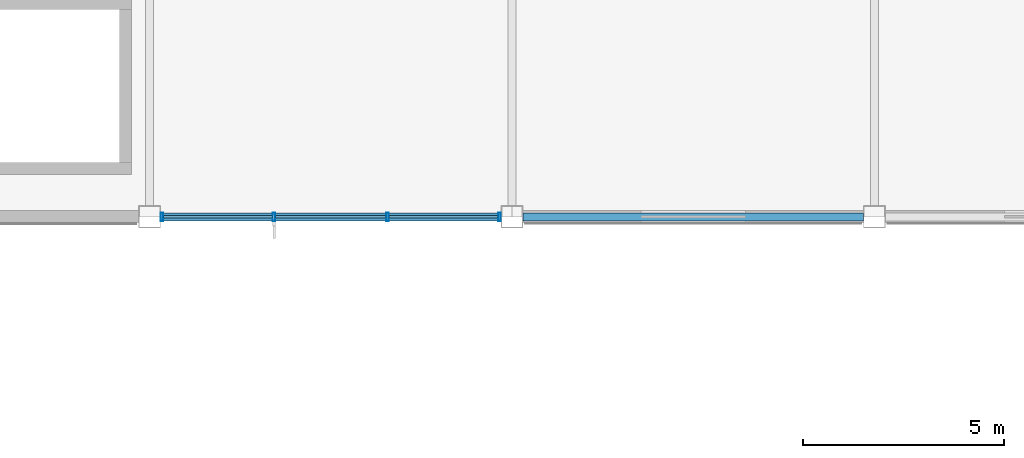
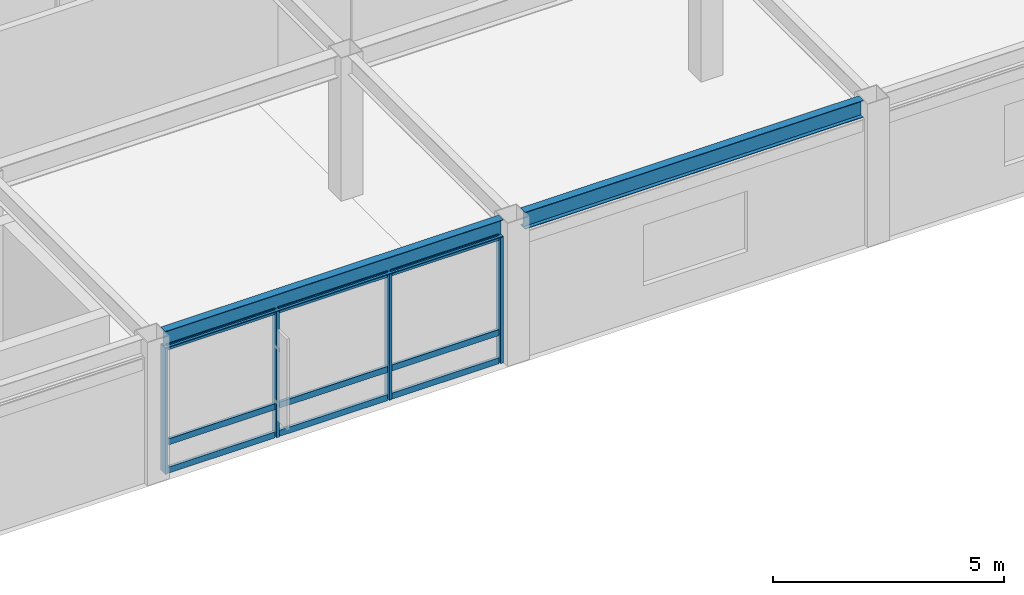
# One storey, part 39 of 113: 13 members, 2 beams, 1 element without a shape of its own.
"""IFC4 building model written with IfcOpenShell, lengths in metres."""

from ifc_helpers import new_model, si_unit, direction, frame, origin, origin_2d, place, context, subcontext, project, spatial, hollow_rectangle, i_section, extrude, material, material_profile, profile_set, type_object, element, aggregate, save


model = new_model("IFC4")

# Units and contexts
model_context = context("Model", 3, precision=1e-05, world=origin(), true_north=direction((0.0, 1.0)))
body_context = subcontext(model_context, "Body", "Model", "MODEL_VIEW")
ifc_project = project(units=[si_unit("LENGTHUNIT", "METRE"), si_unit("AREAUNIT", "SQUARE_METRE"), si_unit("VOLUMEUNIT", "CUBIC_METRE"), si_unit("PLANEANGLEUNIT", "RADIAN"), si_unit("MASSUNIT", "GRAM", prefix="KILO")], contexts=[model_context])

# Site, building, storey
site_placement = place(None, origin())
site = spatial("IfcSite", under=ifc_project, at=site_placement, CompositionType="ELEMENT")
building_placement = place(site_placement, origin())
building = spatial("IfcBuilding", under=site, at=building_placement, Name="Kazanami Central Library", CompositionType="ELEMENT")
storey_placement = place(building_placement, frame((0.0, 0.0, 8.800048828125)))
storey = spatial("IfcBuildingStorey", under=building, at=storey_placement, Name="L03", CompositionType="ELEMENT", Elevation=8.800048828125)

# Beams
ifc_material_1 = material(Name="Steel SN490B (325 MPa)", Category="steel")
ifc_material_profile_1 = material_profile(ifc_material_1, i_section(OverallWidth=0.199951171875, OverallDepth=0.449951171875, WebThickness=0.009033203125, FlangeThickness=0.013916015625, at=origin_2d()), Name="H-450x200x9x14")
ifc_profile_set_1 = profile_set([ifc_material_profile_1], Name="Steel SN490B (325 MPa)")
beam_type = type_object("IfcBeamType", Name="BM-SP-2", PredefinedType="SPANDREL", material=ifc_profile_set_1)
for number, where, z_axis, x_axis, name in (
    (1, (81.27294921875, 21.60009765625, 3.554931640625), (1.0, 0.0, 0.0), (0.0, 1.0, 0.0), "Girder SP-2 L03 D/10-11"),
    (2, (90.27294921875, 21.60009765625, 3.554931640625), (1.0, 0.0, 0.0), (0.0, 1.0, 0.0), "Girder SP-2 L03 D/11-12"),
):
    element("IfcBeam", number, at=place(storey_placement, frame(where, z_axis=z_axis, x_axis=x_axis)), inside=storey, type_object=beam_type, Name=name, PredefinedType="SPANDREL", context=body_context, shape_type="SweptSolid", body=[
        extrude(i_section(OverallWidth=0.199951171875, OverallDepth=0.449951171875, WebThickness=0.009033203125, FlangeThickness=0.013916015625, at=origin_2d()), origin(), (0.0, 0.0, 1.0), 8.4541015625),
    ])

# Curtain wall, members
ifc_material_2 = material(Name="Acid-Etched Low-E Laminated Glass", Category="glass")
curtain_wall_type = type_object("IfcCurtainWallType", Name="CW-8450x3330-M275", PredefinedType="USERDEFINED", material=ifc_material_2)
curtain_wall_placement = place(storey_placement, origin())
curtain_wall = element("IfcCurtainWall", 3, at=curtain_wall_placement, inside=storey, type_object=curtain_wall_type, Name="Unitised Curtain Wall CW-25 L03 S-D-09", ObjectType="UNITISED CURTAIN WALL", PredefinedType="USERDEFINED")
ifc_material_3 = material(Name="Anodised Aluminium A6063-T5", Category="aluminium")
ifc_material_profile_2 = material_profile(ifc_material_3, hollow_rectangle(XDim=0.070068359375, YDim=0.2099609375, WallThickness=0.0048828125, at=origin_2d()), Name="ALU-MULL-70x210x5")
ifc_profile_set_2 = profile_set([ifc_material_profile_2], Name="Anodised Aluminium A6063-T5")
member_type_1 = type_object("IfcMemberType", Name="MEM-CW-M1", PredefinedType="MULLION", material=ifc_profile_set_2)
member_1_placement = place(storey_placement, frame((81.31005859375, 21.60009765625, 0.0), z_axis=(0.0, 0.0, 1.0), x_axis=(1.0, 0.0, 0.0)))
member_1 = element("IfcMember", 4, at=member_1_placement, type_object=member_type_1, Name="CW-25 mullion 1", PredefinedType="MULLION", context=body_context, shape_type="SweptSolid", body=[
    extrude(hollow_rectangle(XDim=0.070068359375, YDim=0.2099609375, WallThickness=0.0048828125, at=origin_2d()), origin(), (0.0, 0.0, 1.0), 3.329833984375),
])
member_2_placement = place(storey_placement, frame((84.091552734375, 21.60009765625, 0.0), z_axis=(0.0, 0.0, 1.0), x_axis=(1.0, 0.0, 0.0)))
member_2 = element("IfcMember", 5, at=member_2_placement, type_object=member_type_1, Name="CW-25 mullion 2", PredefinedType="MULLION", context=body_context, shape_type="SweptSolid", body=[
    extrude(hollow_rectangle(XDim=0.070068359375, YDim=0.2099609375, WallThickness=0.0048828125, at=origin_2d()), origin(), (0.0, 0.0, 1.0), 3.329833984375),
])
member_3_placement = place(storey_placement, frame((86.908447265625, 21.60009765625, 0.0), z_axis=(0.0, 0.0, 1.0), x_axis=(1.0, 0.0, 0.0)))
member_3 = element("IfcMember", 6, at=member_3_placement, type_object=member_type_1, Name="CW-25 mullion 3", PredefinedType="MULLION", context=body_context, shape_type="SweptSolid", body=[
    extrude(hollow_rectangle(XDim=0.070068359375, YDim=0.2099609375, WallThickness=0.0048828125, at=origin_2d()), origin(), (0.0, 0.0, 1.0), 3.329833984375),
])
member_4_placement = place(storey_placement, frame((89.68994140625, 21.60009765625, 0.0), z_axis=(0.0, 0.0, 1.0), x_axis=(1.0, 0.0, 0.0)))
member_4 = element("IfcMember", 7, at=member_4_placement, type_object=member_type_1, Name="CW-25 mullion 4", PredefinedType="MULLION", context=body_context, shape_type="SweptSolid", body=[
    extrude(hollow_rectangle(XDim=0.070068359375, YDim=0.2099609375, WallThickness=0.0048828125, at=origin_2d()), origin(), (0.0, 0.0, 1.0), 3.329833984375),
])
ifc_material_profile_3 = material_profile(ifc_material_3, hollow_rectangle(XDim=0.070068359375, YDim=0.159912109375, WallThickness=0.00390625, at=origin_2d()), Name="ALU-TRAN-70x160x4")
ifc_profile_set_3 = profile_set([ifc_material_profile_3], Name="Anodised Aluminium A6063-T5")
member_type_2 = type_object("IfcMemberType", Name="MEM-CW-T1", PredefinedType="USERDEFINED", material=ifc_profile_set_3)
member_5_placement = place(storey_placement, frame((81.344970703125, 21.60009765625, 0.034912109375), z_axis=(1.0, 0.0, 0.0), x_axis=(0.0, 1.0, 0.0)))
member_5 = element("IfcMember", 8, at=member_5_placement, type_object=member_type_2, Name="CW-25 transom 1.1", ObjectType="TRANSOM", PredefinedType="USERDEFINED", context=body_context, shape_type="SweptSolid", body=[
    extrude(hollow_rectangle(XDim=0.070068359375, YDim=0.159912109375, WallThickness=0.00390625, at=origin_2d()), origin(), (0.0, 0.0, 1.0), 2.711669921875),
])
member_6_placement = place(storey_placement, frame((81.344970703125, 21.60009765625, 0.780029296875), z_axis=(1.0, 0.0, 0.0), x_axis=(0.0, 1.0, 0.0)))
member_6 = element("IfcMember", 9, at=member_6_placement, type_object=member_type_2, Name="CW-25 transom 1.2", ObjectType="TRANSOM", PredefinedType="USERDEFINED", context=body_context, shape_type="SweptSolid", body=[
    extrude(hollow_rectangle(XDim=0.070068359375, YDim=0.159912109375, WallThickness=0.00390625, at=origin_2d()), origin(), (0.0, 0.0, 1.0), 2.711669921875),
])
member_7_placement = place(storey_placement, frame((81.344970703125, 21.60009765625, 3.294921875), z_axis=(1.0, 0.0, 0.0), x_axis=(0.0, 1.0, 0.0)))
member_7 = element("IfcMember", 10, at=member_7_placement, type_object=member_type_2, Name="CW-25 transom 1.3", ObjectType="TRANSOM", PredefinedType="USERDEFINED", context=body_context, shape_type="SweptSolid", body=[
    extrude(hollow_rectangle(XDim=0.070068359375, YDim=0.159912109375, WallThickness=0.00390625, at=origin_2d()), origin(), (0.0, 0.0, 1.0), 2.711669921875),
])
member_8_placement = place(storey_placement, frame((84.126708984375, 21.60009765625, 0.034912109375), z_axis=(1.0, 0.0, 0.0), x_axis=(0.0, 1.0, 0.0)))
member_8 = element("IfcMember", 11, at=member_8_placement, type_object=member_type_2, Name="CW-25 transom 2.1", ObjectType="TRANSOM", PredefinedType="USERDEFINED", context=body_context, shape_type="SweptSolid", body=[
    extrude(hollow_rectangle(XDim=0.070068359375, YDim=0.159912109375, WallThickness=0.00390625, at=origin_2d()), origin(), (0.0, 0.0, 1.0), 2.74658203125),
])
member_9_placement = place(storey_placement, frame((84.126708984375, 21.60009765625, 0.780029296875), z_axis=(1.0, 0.0, 0.0), x_axis=(0.0, 1.0, 0.0)))
member_9 = element("IfcMember", 12, at=member_9_placement, type_object=member_type_2, Name="CW-25 transom 2.2", ObjectType="TRANSOM", PredefinedType="USERDEFINED", context=body_context, shape_type="SweptSolid", body=[
    extrude(hollow_rectangle(XDim=0.070068359375, YDim=0.159912109375, WallThickness=0.00390625, at=origin_2d()), origin(), (0.0, 0.0, 1.0), 2.74658203125),
])
member_10_placement = place(storey_placement, frame((84.126708984375, 21.60009765625, 3.294921875), z_axis=(1.0, 0.0, 0.0), x_axis=(0.0, 1.0, 0.0)))
member_10 = element("IfcMember", 13, at=member_10_placement, type_object=member_type_2, Name="CW-25 transom 2.3", ObjectType="TRANSOM", PredefinedType="USERDEFINED", context=body_context, shape_type="SweptSolid", body=[
    extrude(hollow_rectangle(XDim=0.070068359375, YDim=0.159912109375, WallThickness=0.00390625, at=origin_2d()), origin(), (0.0, 0.0, 1.0), 2.74658203125),
])
member_11_placement = place(storey_placement, frame((86.943359375, 21.60009765625, 0.034912109375), z_axis=(1.0, 0.0, 0.0), x_axis=(0.0, 1.0, 0.0)))
member_11 = element("IfcMember", 14, at=member_11_placement, type_object=member_type_2, Name="CW-25 transom 3.1", ObjectType="TRANSOM", PredefinedType="USERDEFINED", context=body_context, shape_type="SweptSolid", body=[
    extrude(hollow_rectangle(XDim=0.070068359375, YDim=0.159912109375, WallThickness=0.00390625, at=origin_2d()), origin(), (0.0, 0.0, 1.0), 2.711669921875),
])
member_12_placement = place(storey_placement, frame((86.943359375, 21.60009765625, 0.780029296875), z_axis=(1.0, 0.0, 0.0), x_axis=(0.0, 1.0, 0.0)))
member_12 = element("IfcMember", 15, at=member_12_placement, type_object=member_type_2, Name="CW-25 transom 3.2", ObjectType="TRANSOM", PredefinedType="USERDEFINED", context=body_context, shape_type="SweptSolid", body=[
    extrude(hollow_rectangle(XDim=0.070068359375, YDim=0.159912109375, WallThickness=0.00390625, at=origin_2d()), origin(), (0.0, 0.0, 1.0), 2.711669921875),
])
member_13_placement = place(storey_placement, frame((86.943359375, 21.60009765625, 3.294921875), z_axis=(1.0, 0.0, 0.0), x_axis=(0.0, 1.0, 0.0)))
member_13 = element("IfcMember", 16, at=member_13_placement, type_object=member_type_2, Name="CW-25 transom 3.3", ObjectType="TRANSOM", PredefinedType="USERDEFINED", context=body_context, shape_type="SweptSolid", body=[
    extrude(hollow_rectangle(XDim=0.070068359375, YDim=0.159912109375, WallThickness=0.00390625, at=origin_2d()), origin(), (0.0, 0.0, 1.0), 2.711669921875),
])
aggregate(curtain_wall, [member_1, member_2, member_3, member_4, member_5, member_6, member_7, member_8, member_9, member_10, member_11, member_12, member_13])

save(model, "model.ifc")
